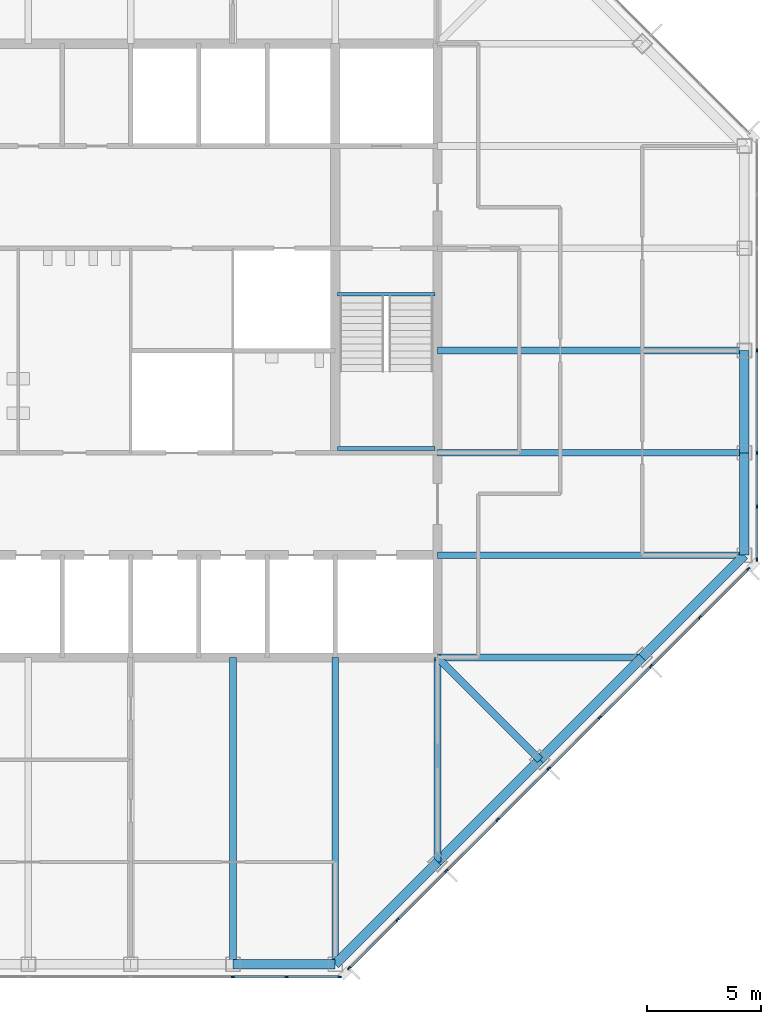
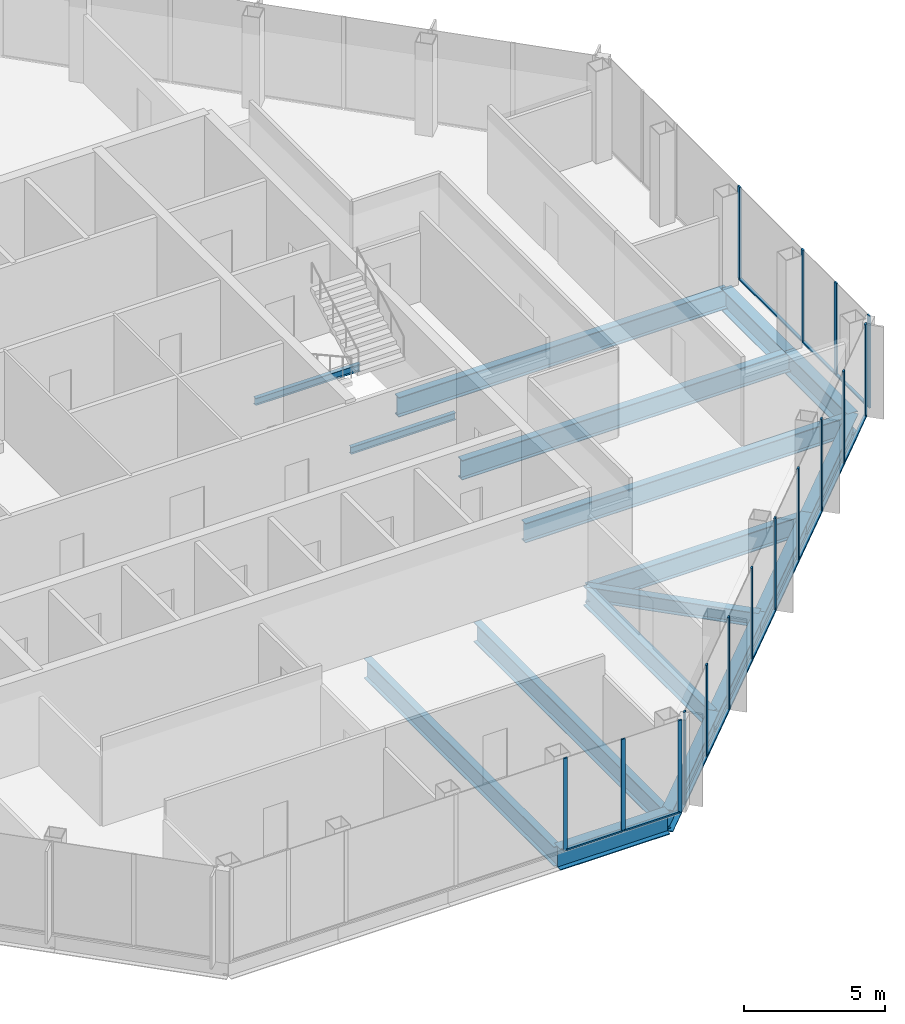
# One storey, part 4 of 13: 29 members, 17 beams, 3 elements without a shape of their own.
"""IFC4 building model written with IfcOpenShell, lengths in metres."""

from ifc_helpers import new_model, si_unit, direction, frame, origin, origin_2d, place, context, subcontext, project, spatial, rectangle, i_section, extrude, material, material_profile, profile_set, type_object, element, aggregate, save


model = new_model("IFC4")

# Units and contexts
model_context = context("Model", 3, precision=1e-05, world=origin(), true_north=direction((0.0, 1.0)))
body_context = subcontext(model_context, "Body", "Model", "MODEL_VIEW")
ifc_project = project(units=[si_unit("LENGTHUNIT", "METRE"), si_unit("AREAUNIT", "SQUARE_METRE"), si_unit("VOLUMEUNIT", "CUBIC_METRE"), si_unit("PLANEANGLEUNIT", "RADIAN"), si_unit("MASSUNIT", "GRAM", prefix="KILO")], contexts=[model_context])

# Site, building, storey
site_placement = place(None, origin())
site = spatial("IfcSite", under=ifc_project, at=site_placement, CompositionType="ELEMENT")
building_placement = place(site_placement, origin())
building = spatial("IfcBuilding", under=site, at=building_placement, Name="Corais Broadcast Tower", CompositionType="ELEMENT")
storey_placement = place(building_placement, frame((0.0, 0.0, 210.60009765625)))
storey = spatial("IfcBuildingStorey", under=building, at=storey_placement, Name="L48", CompositionType="ELEMENT", Elevation=210.60009765625)

# Beams
ifc_material_1 = material(Name="Steel ASTM A572 Grade 50", Category="steel")
ifc_material_profile_1 = material_profile(ifc_material_1, i_section(OverallWidth=0.323974609375, OverallDepth=0.611083984375, WebThickness=0.0126953125, FlangeThickness=0.01904296875, at=origin_2d()), Name="W610x155")
ifc_profile_set_1 = profile_set([ifc_material_profile_1], Name="Steel ASTM A572 Grade 50")
beam_type_1 = type_object("IfcBeamType", Name="Corner diagonal W610x155", PredefinedType="BEAM", material=ifc_profile_set_1)
beam_1_placement = place(storey_placement, frame((45.0, 9.0, -0.465576171875), z_axis=(-0.707106781187, 0.707106781187, 0.0), x_axis=(-0.707106781187, -0.707106781187, 0.0)))
element("IfcBeam", 1, at=beam_1_placement, inside=storey, type_object=beam_type_1, Name="B6 C/13 to D/12", PredefinedType="BEAM", context=body_context, shape_type="SweptSolid", body=[
    extrude(i_section(OverallWidth=0.323974609375, OverallDepth=0.611083984375, WebThickness=0.0126953125, FlangeThickness=0.01904296875, at=origin_2d()), origin(), (0.0, 0.0, 1.0), 6.364013671875),
])
ifc_material_2 = material(Name="Steel ASTM A572 Grade 50", Category="steel")
ifc_material_profile_2 = material_profile(ifc_material_2, i_section(OverallWidth=0.2939453125, OverallDepth=0.85107421875, WebThickness=0.01611328125, FlangeThickness=0.02685546875, at=origin_2d()), Name="W840x226")
ifc_profile_set_2 = profile_set([ifc_material_profile_2], Name="Steel ASTM A572 Grade 50")
beam_type_2 = type_object("IfcBeamType", Name="Floor beam W840x226", PredefinedType="BEAM", material=ifc_profile_set_2)
for number, where, z_axis, x_axis, name in (
    (2, (31.5, 0.0, -0.585693359375), (0.0, 1.0, 0.0), (-1.0, 0.0, 0.0), "B1 A/10 to D/10"),
    (3, (36.0, 0.0, -0.585693359375), (0.0, 1.0, 0.0), (-1.0, 0.0, 0.0), "B1 A/11 to D/11"),
):
    element("IfcBeam", number, at=place(storey_placement, frame(where, z_axis=z_axis, x_axis=x_axis)), inside=storey, type_object=beam_type_2, Name=name, PredefinedType="BEAM", context=body_context, shape_type="SweptSolid", body=[
        extrude(i_section(OverallWidth=0.2939453125, OverallDepth=0.85107421875, WebThickness=0.01611328125, FlangeThickness=0.02685546875, at=origin_2d()), origin(), (0.0, 0.0, 1.0), 13.5),
    ])
for number, where, z_axis, x_axis, name in (
    (4, (40.5, 4.5, -0.585693359375), (0.0, 1.0, 0.0), (-1.0, 0.0, 0.0), "B1 B/12 to D/12"),
    (5, (49.5, 13.5, -0.585693359375), (-1.0, 0.0, 0.0), (0.0, -1.0, 0.0), "B1 D/14 to D/12"),
):
    element("IfcBeam", number, at=place(storey_placement, frame(where, z_axis=z_axis, x_axis=x_axis)), inside=storey, type_object=beam_type_2, Name=name, PredefinedType="BEAM", context=body_context, shape_type="SweptSolid", body=[
        extrude(i_section(OverallWidth=0.2939453125, OverallDepth=0.85107421875, WebThickness=0.01611328125, FlangeThickness=0.02685546875, at=origin_2d()), origin(), (0.0, 0.0, 1.0), 9.0),
    ])
for number, where, z_axis, x_axis, name in (
    (6, (54.0, 18.0, -0.585693359375), (-1.0, 0.0, 0.0), (0.0, -1.0, 0.0), "B1 E/15 to E/12"),
    (7, (54.0, 22.5, -0.585693359375), (-1.0, 0.0, 0.0), (0.0, -1.0, 0.0), "B1 F/15 to F/12"),
    (8, (54.0, 27.0, -0.585693359375), (-1.0, 0.0, 0.0), (0.0, -1.0, 0.0), "B1 G/15 to G/12"),
):
    element("IfcBeam", number, at=place(storey_placement, frame(where, z_axis=z_axis, x_axis=x_axis)), inside=storey, type_object=beam_type_2, Name=name, PredefinedType="BEAM", context=body_context, shape_type="SweptSolid", body=[
        extrude(i_section(OverallWidth=0.2939453125, OverallDepth=0.85107421875, WebThickness=0.01611328125, FlangeThickness=0.02685546875, at=origin_2d()), origin(), (0.0, 0.0, 1.0), 13.5),
    ])
ifc_material_3 = material(Name="Steel ASTM A572 Grade 50", Category="steel")
ifc_material_profile_3 = material_profile(ifc_material_3, i_section(OverallWidth=0.1650390625, OverallDepth=0.31005859375, WebThickness=0.005859375, FlangeThickness=0.009765625, at=origin_2d()), Name="W310x38.7")
ifc_profile_set_3 = profile_set([ifc_material_profile_3], Name="Steel ASTM A572 Grade 50")
beam_type_3 = type_object("IfcBeamType", Name="Landing trimmer W310x38.7", PredefinedType="BEAM", material=ifc_profile_set_3)
for number, where, z_axis, x_axis, name in (
    (9, (36.10009765625, 29.47509765625, -0.35498046875), (1.0, 0.0, 0.0), (0.0, 1.0, 0.0), "LT1 stair B landing trimmer L48"),
    (10, (36.10009765625, 22.68994140625, 1.64501953125), (1.0, 0.0, 0.0), (0.0, 1.0, 0.0), "LT1 stair B half landing trimmer L48"),
):
    element("IfcBeam", number, at=place(storey_placement, frame(where, z_axis=z_axis, x_axis=x_axis)), inside=storey, type_object=beam_type_3, Name=name, PredefinedType="BEAM", context=body_context, shape_type="SweptSolid", body=[
        extrude(i_section(OverallWidth=0.1650390625, OverallDepth=0.31005859375, WebThickness=0.005859375, FlangeThickness=0.009765625, at=origin_2d()), origin(), (0.0, 0.0, 1.0), 4.2998046875),
    ])

# Curtain wall, members
ifc_material_4 = material(Name="Aluminium and glass", Category="aluminium")
curtain_wall_type = type_object("IfcCurtainWallType", Name="Unitised fritted curtain wall CW3", PredefinedType="NOTDEFINED", material=ifc_material_4)
curtain_wall_1_placement = place(storey_placement, origin())
curtain_wall_1 = element("IfcCurtainWall", 11, at=curtain_wall_1_placement, inside=storey, type_object=curtain_wall_type, Name="CW3 curtain wall L48 6", PredefinedType="NOTDEFINED")
ifc_material_5 = material(Name="Aluminium 6063-T6", Category="aluminium")
ifc_material_profile_4 = material_profile(ifc_material_5, rectangle(XDim=0.06494140625, YDim=0.159912109375, at=origin_2d()), Name="Mullion CW3 65x160")
ifc_profile_set_4 = profile_set([ifc_material_profile_4], Name="Aluminium 6063-T6")
member_type_1 = type_object("IfcMemberType", Name="Mullion CW3 65x160", PredefinedType="MULLION", material=ifc_profile_set_4)
member_1_placement = place(storey_placement, frame((54.550048828125, 27.0, 0.0), z_axis=(0.0, 0.0, 1.0), x_axis=(1.0, 0.0, 0.0)))
member_1 = element("IfcMember", 12, at=member_1_placement, type_object=member_type_1, Name="CW3 mullion 4", PredefinedType="MULLION", context=body_context, shape_type="SweptSolid", body=[
    extrude(rectangle(XDim=0.06494140625, YDim=0.159912109375, at=origin_2d()), origin(), (0.0, 0.0, 1.0), 4.0),
])
member_2_placement = place(storey_placement, frame((54.550048828125, 22.5, 0.0), z_axis=(0.0, 0.0, 1.0), x_axis=(1.0, 0.0, 0.0)))
member_2 = element("IfcMember", 13, at=member_2_placement, type_object=member_type_1, Name="CW3 mullion 5", PredefinedType="MULLION", context=body_context, shape_type="SweptSolid", body=[
    extrude(rectangle(XDim=0.06494140625, YDim=0.159912109375, at=origin_2d()), origin(), (0.0, 0.0, 1.0), 4.0),
])
member_3_placement = place(storey_placement, frame((54.550048828125, 20.135986328125, 0.0), z_axis=(0.0, 0.0, 1.0), x_axis=(1.0, 0.0, 0.0)))
member_3 = element("IfcMember", 14, at=member_3_placement, type_object=member_type_1, Name="CW3 mullion 6", PredefinedType="MULLION", context=body_context, shape_type="SweptSolid", body=[
    extrude(rectangle(XDim=0.06494140625, YDim=0.159912109375, at=origin_2d()), origin(), (0.0, 0.0, 1.0), 4.0),
])
member_4_placement = place(storey_placement, frame((54.550048828125, 17.8046875, 0.0), z_axis=(0.0, 0.0, 1.0), x_axis=(1.0, 0.0, 0.0)))
member_4 = element("IfcMember", 15, at=member_4_placement, type_object=member_type_1, Name="CW3 mullion 7", PredefinedType="MULLION", context=body_context, shape_type="SweptSolid", body=[
    extrude(rectangle(XDim=0.06494140625, YDim=0.159912109375, at=origin_2d()), origin(), (0.0, 0.0, 1.0), 4.0),
])

curtain_wall_2_placement = place(storey_placement, origin())
curtain_wall_2 = element("IfcCurtainWall", 16, at=curtain_wall_2_placement, inside=storey, type_object=curtain_wall_type, Name="CW3 curtain wall L48 7", PredefinedType="NOTDEFINED")
member_5_placement = place(storey_placement, frame((54.17333984375, 17.3955078125, 0.0), z_axis=(0.0, 0.0, 1.0), x_axis=(0.707106781187, -0.707106781187, 0.0)))
member_5 = element("IfcMember", 17, at=member_5_placement, type_object=member_type_1, Name="CW3 mullion 1", PredefinedType="MULLION", context=body_context, shape_type="SweptSolid", body=[
    extrude(rectangle(XDim=0.06494140625, YDim=0.159912109375, at=origin_2d()), origin(), (0.0, 0.0, 1.0), 4.0),
])
member_6_placement = place(storey_placement, frame((52.042724609375, 15.264892578125, 0.0), z_axis=(0.0, 0.0, 1.0), x_axis=(0.707106781187, -0.707106781187, 0.0)))
member_6 = element("IfcMember", 18, at=member_6_placement, type_object=member_type_1, Name="CW3 mullion 2", PredefinedType="MULLION", context=body_context, shape_type="SweptSolid", body=[
    extrude(rectangle(XDim=0.06494140625, YDim=0.159912109375, at=origin_2d()), origin(), (0.0, 0.0, 1.0), 4.0),
])
member_7_placement = place(storey_placement, frame((49.888916015625, 13.111083984375, 0.0), z_axis=(0.0, 0.0, 1.0), x_axis=(0.707106781187, -0.707106781187, 0.0)))
member_7 = element("IfcMember", 19, at=member_7_placement, type_object=member_type_1, Name="CW3 mullion 3", PredefinedType="MULLION", context=body_context, shape_type="SweptSolid", body=[
    extrude(rectangle(XDim=0.06494140625, YDim=0.159912109375, at=origin_2d()), origin(), (0.0, 0.0, 1.0), 4.0),
])
member_8_placement = place(storey_placement, frame((47.638916015625, 10.861083984375, 0.0), z_axis=(0.0, 0.0, 1.0), x_axis=(0.707106781187, -0.707106781187, 0.0)))
member_8 = element("IfcMember", 20, at=member_8_placement, type_object=member_type_1, Name="CW3 mullion 4", PredefinedType="MULLION", context=body_context, shape_type="SweptSolid", body=[
    extrude(rectangle(XDim=0.06494140625, YDim=0.159912109375, at=origin_2d()), origin(), (0.0, 0.0, 1.0), 4.0),
])
member_9_placement = place(storey_placement, frame((45.388916015625, 8.611083984375, 0.0), z_axis=(0.0, 0.0, 1.0), x_axis=(0.707106781187, -0.707106781187, 0.0)))
member_9 = element("IfcMember", 21, at=member_9_placement, type_object=member_type_1, Name="CW3 mullion 5", PredefinedType="MULLION", context=body_context, shape_type="SweptSolid", body=[
    extrude(rectangle(XDim=0.06494140625, YDim=0.159912109375, at=origin_2d()), origin(), (0.0, 0.0, 1.0), 4.0),
])
member_10_placement = place(storey_placement, frame((43.138916015625, 6.361083984375, 0.0), z_axis=(0.0, 0.0, 1.0), x_axis=(0.707106781187, -0.707106781187, 0.0)))
member_10 = element("IfcMember", 22, at=member_10_placement, type_object=member_type_1, Name="CW3 mullion 6", PredefinedType="MULLION", context=body_context, shape_type="SweptSolid", body=[
    extrude(rectangle(XDim=0.06494140625, YDim=0.159912109375, at=origin_2d()), origin(), (0.0, 0.0, 1.0), 4.0),
])
member_11_placement = place(storey_placement, frame((40.888916015625, 4.111083984375, 0.0), z_axis=(0.0, 0.0, 1.0), x_axis=(0.707106781187, -0.707106781187, 0.0)))
member_11 = element("IfcMember", 23, at=member_11_placement, type_object=member_type_1, Name="CW3 mullion 7", PredefinedType="MULLION", context=body_context, shape_type="SweptSolid", body=[
    extrude(rectangle(XDim=0.06494140625, YDim=0.159912109375, at=origin_2d()), origin(), (0.0, 0.0, 1.0), 4.0),
])
member_12_placement = place(storey_placement, frame((38.735107421875, 1.957275390625, 0.0), z_axis=(0.0, 0.0, 1.0), x_axis=(0.707106781187, -0.707106781187, 0.0)))
member_12 = element("IfcMember", 24, at=member_12_placement, type_object=member_type_1, Name="CW3 mullion 8", PredefinedType="MULLION", context=body_context, shape_type="SweptSolid", body=[
    extrude(rectangle(XDim=0.06494140625, YDim=0.159912109375, at=origin_2d()), origin(), (0.0, 0.0, 1.0), 4.0),
])
member_13_placement = place(storey_placement, frame((36.6044921875, -0.17333984375, 0.0), z_axis=(0.0, 0.0, 1.0), x_axis=(0.707106781187, -0.707106781187, 0.0)))
member_13 = element("IfcMember", 25, at=member_13_placement, type_object=member_type_1, Name="CW3 mullion 9", PredefinedType="MULLION", context=body_context, shape_type="SweptSolid", body=[
    extrude(rectangle(XDim=0.06494140625, YDim=0.159912109375, at=origin_2d()), origin(), (0.0, 0.0, 1.0), 4.0),
])

curtain_wall_3_placement = place(storey_placement, origin())
curtain_wall_3 = element("IfcCurtainWall", 26, at=curtain_wall_3_placement, inside=storey, type_object=curtain_wall_type, Name="CW3 curtain wall L48 8", PredefinedType="NOTDEFINED")
member_14_placement = place(storey_placement, frame((36.1953125, -0.550048828125, 0.0), z_axis=(0.0, 0.0, 1.0), x_axis=(0.0, -1.0, 0.0)))
member_14 = element("IfcMember", 27, at=member_14_placement, type_object=member_type_1, Name="CW3 mullion 1", PredefinedType="MULLION", context=body_context, shape_type="SweptSolid", body=[
    extrude(rectangle(XDim=0.06494140625, YDim=0.159912109375, at=origin_2d()), origin(), (0.0, 0.0, 1.0), 4.0),
])
member_15_placement = place(storey_placement, frame((33.864013671875, -0.550048828125, 0.0), z_axis=(0.0, 0.0, 1.0), x_axis=(0.0, -1.0, 0.0)))
member_15 = element("IfcMember", 28, at=member_15_placement, type_object=member_type_1, Name="CW3 mullion 2", PredefinedType="MULLION", context=body_context, shape_type="SweptSolid", body=[
    extrude(rectangle(XDim=0.06494140625, YDim=0.159912109375, at=origin_2d()), origin(), (0.0, 0.0, 1.0), 4.0),
])
member_16_placement = place(storey_placement, frame((31.5, -0.550048828125, 0.0), z_axis=(0.0, 0.0, 1.0), x_axis=(0.0, -1.0, 0.0)))
member_16 = element("IfcMember", 29, at=member_16_placement, type_object=member_type_1, Name="CW3 mullion 3", PredefinedType="MULLION", context=body_context, shape_type="SweptSolid", body=[
    extrude(rectangle(XDim=0.06494140625, YDim=0.159912109375, at=origin_2d()), origin(), (0.0, 0.0, 1.0), 4.0),
])

# Beams
ifc_material_6 = material(Name="Steel ASTM A572 Grade 50", Category="steel")
ifc_material_profile_5 = material_profile(ifc_material_6, i_section(OverallWidth=0.4189453125, OverallDepth=0.94189453125, WebThickness=0.022216796875, FlangeThickness=0.03662109375, at=origin_2d()), Name="W920x345")
ifc_profile_set_5 = profile_set([ifc_material_profile_5], Name="Steel ASTM A572 Grade 50")
beam_type_4 = type_object("IfcBeamType", Name="Transfer spandrel W920x345", PredefinedType="BEAM", material=ifc_profile_set_5)
beam_2_placement = place(storey_placement, frame((31.5, 0.0, -0.631103515625), z_axis=(1.0, 0.0, 0.0), x_axis=(0.0, 1.0, 0.0)))
element("IfcBeam", 30, at=beam_2_placement, inside=storey, type_object=beam_type_4, Name="SB4 A/10 to A/11", PredefinedType="BEAM", context=body_context, shape_type="SweptSolid", body=[
    extrude(i_section(OverallWidth=0.4189453125, OverallDepth=0.94189453125, WebThickness=0.022216796875, FlangeThickness=0.03662109375, at=origin_2d()), origin(), (0.0, 0.0, 1.0), 4.5),
])
for number, where, z_axis, x_axis, name in (
    (31, (36.0, 0.0, -0.631103515625), (0.707106781187, 0.707106781187, 0.0), (-0.707106781187, 0.707106781187, 0.0), "SB4 A/11 to B/12"),
    (32, (40.5, 4.5, -0.631103515625), (0.707106781187, 0.707106781187, 0.0), (-0.707106781187, 0.707106781187, 0.0), "SB4 B/12 to C/13"),
    (33, (45.0, 9.0, -0.631103515625), (0.707106781187, 0.707106781187, 0.0), (-0.707106781187, 0.707106781187, 0.0), "SB4 C/13 to D/14"),
    (34, (49.5, 13.5, -0.631103515625), (0.707106781187, 0.707106781187, 0.0), (-0.707106781187, 0.707106781187, 0.0), "SB4 D/14 to E/15"),
):
    element("IfcBeam", number, at=place(storey_placement, frame(where, z_axis=z_axis, x_axis=x_axis)), inside=storey, type_object=beam_type_4, Name=name, PredefinedType="BEAM", context=body_context, shape_type="SweptSolid", body=[
        extrude(i_section(OverallWidth=0.4189453125, OverallDepth=0.94189453125, WebThickness=0.022216796875, FlangeThickness=0.03662109375, at=origin_2d()), origin(), (0.0, 0.0, 1.0), 6.364013671875),
    ])
for number, where, z_axis, x_axis, name in (
    (35, (54.0, 18.0, -0.631103515625), (0.0, 1.0, 0.0), (-1.0, 0.0, 0.0), "SB4 E/15 to F/15"),
    (36, (54.0, 22.5, -0.631103515625), (0.0, 1.0, 0.0), (-1.0, 0.0, 0.0), "SB4 F/15 to G/15"),
):
    element("IfcBeam", number, at=place(storey_placement, frame(where, z_axis=z_axis, x_axis=x_axis)), inside=storey, type_object=beam_type_4, Name=name, PredefinedType="BEAM", context=body_context, shape_type="SweptSolid", body=[
        extrude(i_section(OverallWidth=0.4189453125, OverallDepth=0.94189453125, WebThickness=0.022216796875, FlangeThickness=0.03662109375, at=origin_2d()), origin(), (0.0, 0.0, 1.0), 4.5),
    ])

# Member
ifc_material_7 = material(Name="Aluminium 6063-T6", Category="aluminium")
ifc_material_profile_6 = material_profile(ifc_material_7, rectangle(XDim=0.1201171875, YDim=0.06494140625, at=origin_2d()), Name="Transom CW3 65x120")
ifc_profile_set_6 = profile_set([ifc_material_profile_6], Name="Aluminium 6063-T6")
member_type_2 = type_object("IfcMemberType", Name="Transom CW3 65x120", PredefinedType="USERDEFINED", material=ifc_profile_set_6)
member_17_placement = place(storey_placement, frame((54.550048828125, 26.967529296875, 0.032470703125), z_axis=(0.0, -1.0, 0.0), x_axis=(1.0, 0.0, 0.0)))
member_17 = element("IfcMember", 37, at=member_17_placement, type_object=member_type_2, Name="CW3 transom 4.1", ObjectType="TRANSOM", PredefinedType="USERDEFINED", context=body_context, shape_type="SweptSolid", body=[
    extrude(rectangle(XDim=0.1201171875, YDim=0.06494140625, at=origin_2d()), origin(), (0.0, 0.0, 1.0), 4.43505859375),
])

member_18_placement = place(storey_placement, frame((54.550048828125, 22.467529296875, 0.032470703125), z_axis=(0.0, -1.0, 0.0), x_axis=(1.0, 0.0, 0.0)))
member_18 = element("IfcMember", 38, at=member_18_placement, type_object=member_type_2, Name="CW3 transom 5.1", ObjectType="TRANSOM", PredefinedType="USERDEFINED", context=body_context, shape_type="SweptSolid", body=[
    extrude(rectangle(XDim=0.1201171875, YDim=0.06494140625, at=origin_2d()), origin(), (0.0, 0.0, 1.0), 2.298828125),
])

member_19_placement = place(storey_placement, frame((54.550048828125, 20.103515625, 0.032470703125), z_axis=(0.0, -1.0, 0.0), x_axis=(1.0, 0.0, 0.0)))
member_19 = element("IfcMember", 39, at=member_19_placement, type_object=member_type_2, Name="CW3 transom 6.1", ObjectType="TRANSOM", PredefinedType="USERDEFINED", context=body_context, shape_type="SweptSolid", body=[
    extrude(rectangle(XDim=0.1201171875, YDim=0.06494140625, at=origin_2d()), origin(), (0.0, 0.0, 1.0), 2.266357421875),
])

aggregate(curtain_wall_1, [member_1, member_2, member_3, member_4, member_17, member_18, member_19])

member_20_placement = place(storey_placement, frame((54.150390625, 17.37255859375, 0.032470703125), z_axis=(-0.707106781187, -0.707106781187, 0.0), x_axis=(0.707106781187, -0.707106781187, 0.0)))
member_20 = element("IfcMember", 40, at=member_20_placement, type_object=member_type_2, Name="CW3 transom 1.1", ObjectType="TRANSOM", PredefinedType="USERDEFINED", context=body_context, shape_type="SweptSolid", body=[
    extrude(rectangle(XDim=0.1201171875, YDim=0.06494140625, at=origin_2d()), origin(), (0.0, 0.0, 1.0), 2.9482421875),
])

member_21_placement = place(storey_placement, frame((52.019775390625, 15.241943359375, 0.032470703125), z_axis=(-0.707106781187, -0.707106781187, 0.0), x_axis=(0.707106781187, -0.707106781187, 0.0)))
member_21 = element("IfcMember", 41, at=member_21_placement, type_object=member_type_2, Name="CW3 transom 2.1", ObjectType="TRANSOM", PredefinedType="USERDEFINED", context=body_context, shape_type="SweptSolid", body=[
    extrude(rectangle(XDim=0.1201171875, YDim=0.06494140625, at=origin_2d()), origin(), (0.0, 0.0, 1.0), 2.98095703125),
])

member_22_placement = place(storey_placement, frame((49.865966796875, 13.088134765625, 0.032470703125), z_axis=(-0.707106781187, -0.707106781187, 0.0), x_axis=(0.707106781187, -0.707106781187, 0.0)))
member_22 = element("IfcMember", 42, at=member_22_placement, type_object=member_type_2, Name="CW3 transom 3.1", ObjectType="TRANSOM", PredefinedType="USERDEFINED", context=body_context, shape_type="SweptSolid", body=[
    extrude(rectangle(XDim=0.1201171875, YDim=0.06494140625, at=origin_2d()), origin(), (0.0, 0.0, 1.0), 3.1171875),
])

member_23_placement = place(storey_placement, frame((47.615966796875, 10.838134765625, 0.032470703125), z_axis=(-0.707106781187, -0.707106781187, 0.0), x_axis=(0.707106781187, -0.707106781187, 0.0)))
member_23 = element("IfcMember", 43, at=member_23_placement, type_object=member_type_2, Name="CW3 transom 4.1", ObjectType="TRANSOM", PredefinedType="USERDEFINED", context=body_context, shape_type="SweptSolid", body=[
    extrude(rectangle(XDim=0.1201171875, YDim=0.06494140625, at=origin_2d()), origin(), (0.0, 0.0, 1.0), 3.1171875),
])

member_24_placement = place(storey_placement, frame((45.365966796875, 8.588134765625, 0.032470703125), z_axis=(-0.707106781187, -0.707106781187, 0.0), x_axis=(0.707106781187, -0.707106781187, 0.0)))
member_24 = element("IfcMember", 44, at=member_24_placement, type_object=member_type_2, Name="CW3 transom 5.1", ObjectType="TRANSOM", PredefinedType="USERDEFINED", context=body_context, shape_type="SweptSolid", body=[
    extrude(rectangle(XDim=0.1201171875, YDim=0.06494140625, at=origin_2d()), origin(), (0.0, 0.0, 1.0), 3.1171875),
])

member_25_placement = place(storey_placement, frame((43.115966796875, 6.338134765625, 0.032470703125), z_axis=(-0.707106781187, -0.707106781187, 0.0), x_axis=(0.707106781187, -0.707106781187, 0.0)))
member_25 = element("IfcMember", 45, at=member_25_placement, type_object=member_type_2, Name="CW3 transom 6.1", ObjectType="TRANSOM", PredefinedType="USERDEFINED", context=body_context, shape_type="SweptSolid", body=[
    extrude(rectangle(XDim=0.1201171875, YDim=0.06494140625, at=origin_2d()), origin(), (0.0, 0.0, 1.0), 3.1171875),
])

member_26_placement = place(storey_placement, frame((40.865966796875, 4.088134765625, 0.032470703125), z_axis=(-0.70714773134, -0.707065828661, 0.0), x_axis=(0.707065828661, -0.70714773134, 0.0)))
member_26 = element("IfcMember", 46, at=member_26_placement, type_object=member_type_2, Name="CW3 transom 7.1", ObjectType="TRANSOM", PredefinedType="USERDEFINED", context=body_context, shape_type="SweptSolid", body=[
    extrude(rectangle(XDim=0.1201171875, YDim=0.06494140625, at=origin_2d()), origin(), (0.0, 0.0, 1.0), 2.98095703125),
])

member_27_placement = place(storey_placement, frame((38.712158203125, 1.934326171875, 0.032470703125), z_axis=(-0.707106781187, -0.707106781187, 0.0), x_axis=(0.707106781187, -0.707106781187, 0.0)))
member_27 = element("IfcMember", 47, at=member_27_placement, type_object=member_type_2, Name="CW3 transom 8.1", ObjectType="TRANSOM", PredefinedType="USERDEFINED", context=body_context, shape_type="SweptSolid", body=[
    extrude(rectangle(XDim=0.1201171875, YDim=0.06494140625, at=origin_2d()), origin(), (0.0, 0.0, 1.0), 2.9482421875),
])

aggregate(curtain_wall_2, [member_5, member_6, member_7, member_8, member_9, member_10, member_11, member_12, member_13, member_20, member_21, member_22, member_23, member_24, member_25, member_26, member_27])

member_28_placement = place(storey_placement, frame((36.162841796875, -0.550048828125, 0.032470703125), z_axis=(-1.0, 0.0, 0.0), x_axis=(0.0, -1.0, 0.0)))
member_28 = element("IfcMember", 48, at=member_28_placement, type_object=member_type_2, Name="CW3 transom 1.1", ObjectType="TRANSOM", PredefinedType="USERDEFINED", context=body_context, shape_type="SweptSolid", body=[
    extrude(rectangle(XDim=0.1201171875, YDim=0.06494140625, at=origin_2d()), origin(), (0.0, 0.0, 1.0), 2.266357421875),
])

member_29_placement = place(storey_placement, frame((33.831298828125, -0.550048828125, 0.032470703125), z_axis=(-1.0, 0.0, 0.0), x_axis=(0.0, -1.0, 0.0)))
member_29 = element("IfcMember", 49, at=member_29_placement, type_object=member_type_2, Name="CW3 transom 2.1", ObjectType="TRANSOM", PredefinedType="USERDEFINED", context=body_context, shape_type="SweptSolid", body=[
    extrude(rectangle(XDim=0.1201171875, YDim=0.06494140625, at=origin_2d()), origin(), (0.0, 0.0, 1.0), 2.298828125),
])

aggregate(curtain_wall_3, [member_14, member_15, member_16, member_28, member_29])

save(model, "model.ifc")
